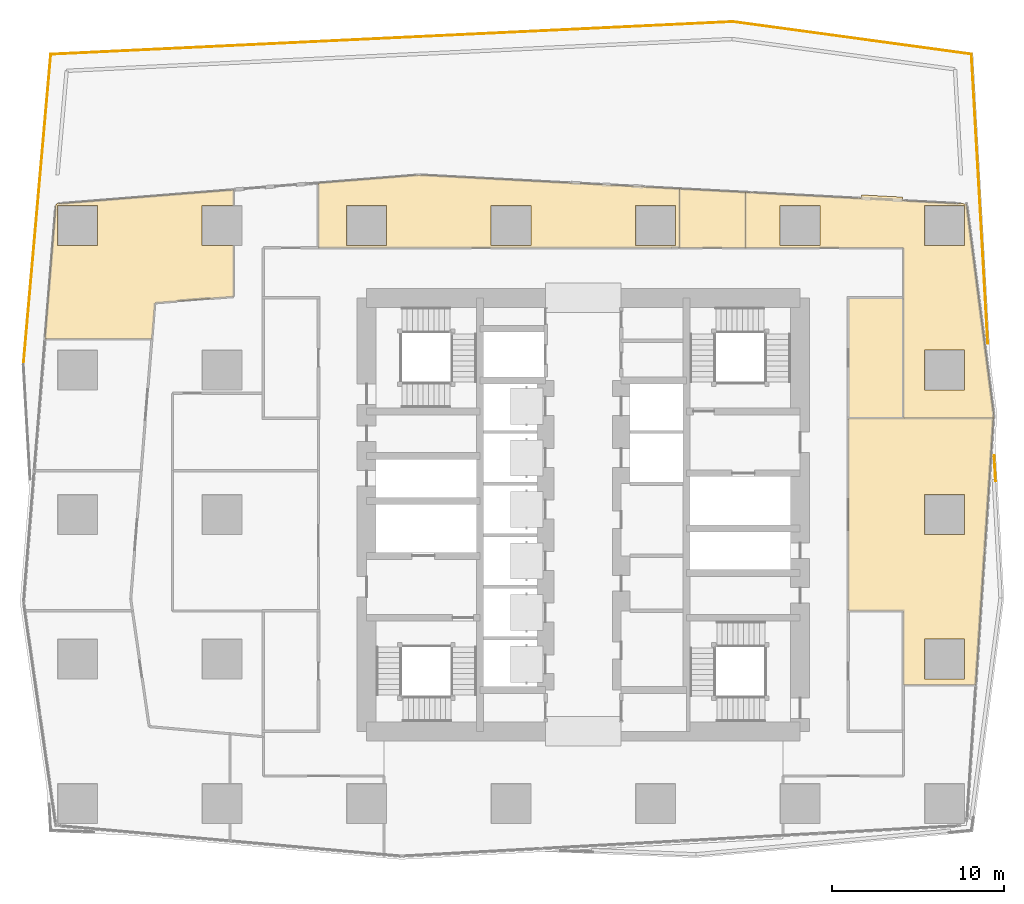
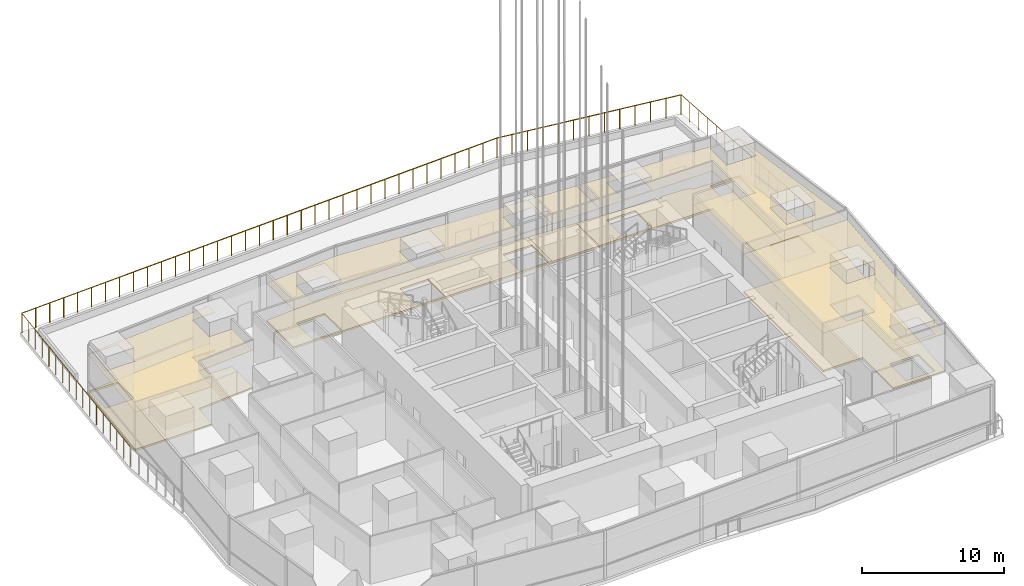
# One storey, part 26 of 39: 11 coverings, 5 railings.
"""IFC4 building model written with IfcOpenShell, lengths in metres."""

from ifc_helpers import new_model, si_unit, direction, frame, origin, origin_2d, place, context, subcontext, project, spatial, polyline, circle, outline, extrude, material, layer, layer_set, type_object, element, save


model = new_model("IFC4")

# Units and contexts
model_context = context("Model", 3, precision=1e-05, world=origin(), true_north=direction((0.0, 1.0)))
body_context = subcontext(model_context, "Body", "Model", "MODEL_VIEW")
ifc_project = project(units=[si_unit("LENGTHUNIT", "METRE"), si_unit("AREAUNIT", "SQUARE_METRE"), si_unit("VOLUMEUNIT", "CUBIC_METRE"), si_unit("PLANEANGLEUNIT", "RADIAN"), si_unit("MASSUNIT", "GRAM", prefix="KILO")], contexts=[model_context])

# Site, building, storey
site_placement = place(None, origin())
site = spatial("IfcSite", under=ifc_project, at=site_placement, CompositionType="ELEMENT")
building_placement = place(site_placement, origin())
building = spatial("IfcBuilding", under=site, at=building_placement, Name="Rekha Terrace Tower", CompositionType="ELEMENT")
storey_placement = place(building_placement, frame((0.0, 0.0, 245.60009765625)))
storey = spatial("IfcBuildingStorey", under=building, at=storey_placement, Name="L62", CompositionType="ELEMENT", Elevation=245.60009765625)

# Coverings
ifc_material_1 = material(Name="Mineral fibre tile in exposed grid", Category="finish")
ifc_layer_1 = layer(ifc_material_1, 0.02001953125)
ifc_layer_set_1 = layer_set([ifc_layer_1], Name="Mineral fibre tile in exposed grid")
covering_type_1 = type_object("IfcCoveringType", Name="CL1 600x1200 office grid ceiling", PredefinedType="CEILING", material=ifc_layer_set_1)
covering_1_placement = place(storey_placement, frame((0.0, 0.0, 3.329833984375)))
element("IfcCovering", 1, at=covering_1_placement, inside=storey, type_object=covering_type_1, Name="Ceiling L62-07", PredefinedType="CEILING", context=body_context, shape_type="SweptSolid", body=[
    extrude(outline(polyline([(55.822998046875, 52.0849609375), (53.958984375, 52.18408203125), (53.947998046875, 51.98388671875), (53.279052734375, 52.02001953125), (47.214111328125, 52.343017578125), (47.214111328125, 49.10009765625), (56.39990234375, 49.10009765625), (56.39990234375, 39.200927734375), (61.678955078125, 39.200927734375), (60.0791015625, 51.614013671875), (60.072998046875, 51.658935546875), (56.343994140625, 51.85693359375), (56.35498046875, 52.056884765625), (55.822998046875, 52.0849609375)]), holes=[polyline([(59.965087890625, 40.8349609375), (57.635009765625, 40.8349609375), (57.635009765625, 43.1650390625), (59.965087890625, 43.1650390625), (59.965087890625, 40.8349609375)]), polyline([(59.965087890625, 51.56494140625), (59.965087890625, 49.235107421875), (57.635009765625, 49.235107421875), (57.635009765625, 51.56494140625), (59.965087890625, 51.56494140625)]), polyline([(51.56494140625, 51.56494140625), (51.56494140625, 49.235107421875), (49.235107421875, 49.235107421875), (49.235107421875, 51.56494140625), (51.56494140625, 51.56494140625)])]), origin(), (0.0, 0.0, 1.0), 0.02001953125),
])
covering_2_placement = place(storey_placement, frame((0.0, 0.0, 3.329833984375)))
element("IfcCovering", 2, at=covering_2_placement, inside=storey, type_object=covering_type_1, Name="Ceiling L62-08", PredefinedType="CEILING", context=body_context, shape_type="SweptSolid", body=[
    extrude(outline(polyline([(47.212890625, 49.10009765625), (47.212890625, 52.343017578125), (43.388916015625, 52.5458984375), (43.388916015625, 49.10009765625), (47.212890625, 49.10009765625)])), origin(), (0.0, 0.0, 1.0), 0.02001953125),
])
covering_3_placement = place(storey_placement, frame((0.0, 0.0, 3.329833984375)))
element("IfcCovering", 3, at=covering_3_placement, inside=storey, type_object=covering_type_1, Name="Ceiling L62-09", PredefinedType="CEILING", context=body_context, shape_type="SweptSolid", body=[
    extrude(outline(polyline([(56.39990234375, 39.200927734375), (56.39990234375, 39.199951171875), (53.199951171875, 39.199951171875), (53.199951171875, 28.0), (56.39990234375, 28.0), (56.39990234375, 23.694091796875), (60.60400390625, 23.694091796875), (61.175048828125, 32.29296875), (61.634033203125, 39.200927734375), (56.39990234375, 39.200927734375)]), holes=[polyline([(59.965087890625, 26.364990234375), (59.965087890625, 24.034912109375), (57.635009765625, 24.034912109375), (57.635009765625, 26.364990234375), (59.965087890625, 26.364990234375)]), polyline([(59.965087890625, 34.764892578125), (59.965087890625, 32.43505859375), (57.635009765625, 32.43505859375), (57.635009765625, 34.764892578125), (59.965087890625, 34.764892578125)])]), origin(), (0.0, 0.0, 1.0), 0.02001953125),
])
covering_4_placement = place(storey_placement, frame((0.0, 0.0, 3.329833984375)))
element("IfcCovering", 4, at=covering_4_placement, inside=storey, type_object=covering_type_1, Name="Ceiling L62-10", PredefinedType="CEILING", context=body_context, shape_type="SweptSolid", body=[
    extrude(outline(polyline([(7.135986328125, 51.6640625), (6.4970703125, 43.804931640625), (12.717041015625, 43.804931640625), (12.887939453125, 45.903076171875), (17.458984375, 46.26806640625), (17.458984375, 49.235107421875), (15.635009765625, 49.235107421875), (15.635009765625, 51.56494140625), (17.458984375, 51.56494140625), (17.458984375, 52.487060546875), (7.135986328125, 51.6640625)]), holes=[polyline([(9.56494140625, 49.235107421875), (7.235107421875, 49.235107421875), (7.235107421875, 51.56494140625), (9.56494140625, 51.56494140625), (9.56494140625, 49.235107421875)])]), origin(), (0.0, 0.0, 1.0), 0.02001953125),
])
covering_5_placement = place(storey_placement, frame((0.0, 0.0, 3.329833984375)))
element("IfcCovering", 5, at=covering_5_placement, inside=storey, type_object=covering_type_1, Name="Ceiling L62-O2", PredefinedType="CEILING", context=body_context, shape_type="SweptSolid", body=[
    extrude(outline(polyline([(35.6240234375, 52.958984375), (28.27197265625, 53.35009765625), (26.201904296875, 53.18505859375), (22.39599609375, 52.881103515625), (22.39599609375, 49.10009765625), (42.929931640625, 49.10009765625), (42.929931640625, 49.125), (43.388916015625, 49.125), (43.388916015625, 52.5458984375), (42.929931640625, 52.571044921875), (35.6240234375, 52.958984375)]), holes=[polyline([(43.1650390625, 49.235107421875), (40.8349609375, 49.235107421875), (40.8349609375, 51.56494140625), (43.1650390625, 51.56494140625), (43.1650390625, 49.235107421875)]), polyline([(34.764892578125, 49.235107421875), (32.43505859375, 49.235107421875), (32.43505859375, 51.56494140625), (34.764892578125, 51.56494140625), (34.764892578125, 49.235107421875)]), polyline([(26.364990234375, 51.56494140625), (26.364990234375, 49.235107421875), (24.034912109375, 49.235107421875), (24.034912109375, 51.56494140625), (26.364990234375, 51.56494140625)])]), origin(), (0.0, 0.0, 1.0), 0.02001953125),
])
ifc_material_2 = material(Name="Fibre cement board", Category="finish")
ifc_layer_2 = layer(ifc_material_2, 0.014892578125)
ifc_layer_set_2 = layer_set([ifc_layer_2], Name="Fibre cement board")
covering_type_2 = type_object("IfcCoveringType", Name="CL2 moisture-resistant board ceiling", PredefinedType="CEILING", material=ifc_layer_set_2)
covering_6_placement = place(storey_placement, frame((0.0, 0.0, 3.3349609375)))
element("IfcCovering", 6, at=covering_6_placement, inside=storey, type_object=covering_type_2, Name="Ceiling L62-WCF", PredefinedType="CEILING", context=body_context, shape_type="SweptSolid", body=[
    extrude(outline(polyline([(56.39990234375, 46.199951171875), (53.199951171875, 46.199951171875), (53.199951171875, 39.199951171875), (56.39990234375, 39.199951171875), (56.39990234375, 46.199951171875)])), origin(), (0.0, 0.0, 1.0), 0.014892578125),
])

# Railings
ifc_material_3 = material(Name="Steel guard with vertical balusters", Category="steel")
railing_type_1 = type_object("IfcRailingType", Name="GR2 refuge area guard 1200", PredefinedType="GUARDRAIL", material=ifc_material_3)
railing_1_placement = place(storey_placement, frame((61.763427734375, 35.5478515625, 0.0)))
element("IfcRailing", 7, at=railing_1_placement, inside=storey, type_object=railing_type_1, Name="Ledge corner guard", PredefinedType="GUARDRAIL", context=body_context, shape_type="SweptSolid", body=[
    extrude(circle(Radius=0.02392578125, at=origin_2d()), frame((0.0, 0.0, 1.17578125), z_axis=(-0.056777167332, 0.99838687555, 0.0), x_axis=(-0.99838687555, -0.056777167332, 0.0)), (0.0, 0.0, 1.0), 1.479248046875),
    extrude(circle(Radius=0.02099609375, at=origin_2d()), origin(), (0.0, 0.0, 1.0), 1.15185546875),
    extrude(circle(Radius=0.02099609375, at=origin_2d()), frame((-0.0419921875, 0.73828125, 0.0)), (0.0, 0.0, 1.0), 1.15185546875),
    extrude(circle(Radius=0.02099609375, at=origin_2d()), frame((-0.083984375, 1.476806640625, 0.0)), (0.0, 0.0, 1.0), 1.15185546875),
])
ifc_material_4 = material(Name="Stainless steel posts and laminated glass infill", Category="steel")
railing_type_2 = type_object("IfcRailingType", Name="GR4 terrace glass guard 1700", PredefinedType="GUARDRAIL", material=ifc_material_4)
railing_2_placement = place(storey_placement, frame((61.30859375, 43.56201171875, 0.0)))
element("IfcRailing", 8, at=railing_2_placement, inside=storey, type_object=railing_type_2, Name="Terrace guard", PredefinedType="GUARDRAIL", context=body_context, shape_type="SweptSolid", body=[
    extrude(circle(Radius=0.02392578125, at=origin_2d()), frame((0.0, 0.0, 1.67578125), z_axis=(-0.056685768879, 0.998392069082, 0.0), x_axis=(-0.998392069082, -0.056685768879, 0.0)), (0.0, 0.0, 1.0), 16.8271484375),
    extrude(circle(Radius=0.02099609375, at=origin_2d()), origin(), (0.0, 0.0, 1.0), 1.65185546875),
    extrude(circle(Radius=0.02099609375, at=origin_2d()), frame((-0.0634765625, 1.1201171875, 0.0)), (0.0, 0.0, 1.0), 1.65185546875),
    extrude(circle(Radius=0.02099609375, at=origin_2d()), frame((-0.127197265625, 2.239990234375, 0.0)), (0.0, 0.0, 1.0), 1.65185546875),
    extrude(circle(Radius=0.02099609375, at=origin_2d()), frame((-0.190673828125, 3.360107421875, 0.0)), (0.0, 0.0, 1.0), 1.65185546875),
    extrude(circle(Radius=0.02099609375, at=origin_2d()), frame((-0.25439453125, 4.47998046875, 0.0)), (0.0, 0.0, 1.0), 1.65185546875),
    extrude(circle(Radius=0.02099609375, at=origin_2d()), frame((-0.31787109375, 5.60009765625, 0.0)), (0.0, 0.0, 1.0), 1.65185546875),
    extrude(circle(Radius=0.02099609375, at=origin_2d()), frame((-0.381591796875, 6.719970703125, 0.0)), (0.0, 0.0, 1.0), 1.65185546875),
    extrude(circle(Radius=0.02099609375, at=origin_2d()), frame((-0.445068359375, 7.840087890625, 0.0)), (0.0, 0.0, 1.0), 1.65185546875),
    extrude(circle(Radius=0.02099609375, at=origin_2d()), frame((-0.5087890625, 8.9599609375, 0.0)), (0.0, 0.0, 1.0), 1.65185546875),
    extrude(circle(Radius=0.02099609375, at=origin_2d()), frame((-0.572265625, 10.080078125, 0.0)), (0.0, 0.0, 1.0), 1.65185546875),
    extrude(circle(Radius=0.02099609375, at=origin_2d()), frame((-0.635986328125, 11.199951171875, 0.0)), (0.0, 0.0, 1.0), 1.65185546875),
    extrude(circle(Radius=0.02099609375, at=origin_2d()), frame((-0.699462890625, 12.320068359375, 0.0)), (0.0, 0.0, 1.0), 1.65185546875),
    extrude(circle(Radius=0.02099609375, at=origin_2d()), frame((-0.76318359375, 13.43994140625, 0.0)), (0.0, 0.0, 1.0), 1.65185546875),
    extrude(circle(Radius=0.02099609375, at=origin_2d()), frame((-0.82666015625, 14.56005859375, 0.0)), (0.0, 0.0, 1.0), 1.65185546875),
    extrude(circle(Radius=0.02099609375, at=origin_2d()), frame((-0.890380859375, 15.679931640625, 0.0)), (0.0, 0.0, 1.0), 1.65185546875),
    extrude(circle(Radius=0.02099609375, at=origin_2d()), frame((-0.953857421875, 16.800048828125, 0.0)), (0.0, 0.0, 1.0), 1.65185546875),
])
railing_3_placement = place(storey_placement, frame((60.354736328125, 60.362060546875, 0.0)))
element("IfcRailing", 9, at=railing_3_placement, inside=storey, type_object=railing_type_2, Name="Terrace guard", PredefinedType="GUARDRAIL", context=body_context, shape_type="SweptSolid", body=[
    extrude(circle(Radius=0.02392578125, at=origin_2d()), frame((0.0, 0.0, 1.67578125), z_axis=(-0.990866638975, 0.134845481072, 0.0), x_axis=(-0.134845481072, -0.990866638975, 0.0)), (0.0, 0.0, 1.0), 13.9990234375),
    extrude(circle(Radius=0.02099609375, at=origin_2d()), origin(), (0.0, 0.0, 1.0), 1.65185546875),
    extrude(circle(Radius=0.02099609375, at=origin_2d()), frame((-1.156005859375, 0.1572265625, 0.0)), (0.0, 0.0, 1.0), 1.65185546875),
    extrude(circle(Radius=0.02099609375, at=origin_2d()), frame((-2.311767578125, 0.314697265625, 0.0)), (0.0, 0.0, 1.0), 1.65185546875),
    extrude(circle(Radius=0.02099609375, at=origin_2d()), frame((-3.4677734375, 0.471923828125, 0.0)), (0.0, 0.0, 1.0), 1.65185546875),
    extrude(circle(Radius=0.02099609375, at=origin_2d()), frame((-4.623779296875, 0.629150390625, 0.0)), (0.0, 0.0, 1.0), 1.65185546875),
    extrude(circle(Radius=0.02099609375, at=origin_2d()), frame((-5.779541015625, 0.78662109375, 0.0)), (0.0, 0.0, 1.0), 1.65185546875),
    extrude(circle(Radius=0.02099609375, at=origin_2d()), frame((-6.935546875, 0.94384765625, 0.0)), (0.0, 0.0, 1.0), 1.65185546875),
    extrude(circle(Radius=0.02099609375, at=origin_2d()), frame((-8.091552734375, 1.10107421875, 0.0)), (0.0, 0.0, 1.0), 1.65185546875),
    extrude(circle(Radius=0.02099609375, at=origin_2d()), frame((-9.247314453125, 1.258544921875, 0.0)), (0.0, 0.0, 1.0), 1.65185546875),
    extrude(circle(Radius=0.02099609375, at=origin_2d()), frame((-10.4033203125, 1.415771484375, 0.0)), (0.0, 0.0, 1.0), 1.65185546875),
    extrude(circle(Radius=0.02099609375, at=origin_2d()), frame((-11.559326171875, 1.572998046875, 0.0)), (0.0, 0.0, 1.0), 1.65185546875),
    extrude(circle(Radius=0.02099609375, at=origin_2d()), frame((-12.715087890625, 1.73046875, 0.0)), (0.0, 0.0, 1.0), 1.65185546875),
    extrude(circle(Radius=0.02099609375, at=origin_2d()), frame((-13.87109375, 1.8876953125, 0.0)), (0.0, 0.0, 1.0), 1.65185546875),
])
railing_4_placement = place(storey_placement, frame((46.483642578125, 62.249755859375, 0.0)))
element("IfcRailing", 10, at=railing_4_placement, inside=storey, type_object=railing_type_2, Name="Terrace guard", PredefinedType="GUARDRAIL", context=body_context, shape_type="SweptSolid", body=[
    extrude(circle(Radius=0.02392578125, at=origin_2d()), frame((0.0, 0.0, 1.67578125), z_axis=(-0.998858765651, -0.047761556528, 0.0), x_axis=(0.047761556528, -0.998858765651, 0.0)), (0.0, 0.0, 1.0), 39.68701171875),
    extrude(circle(Radius=0.02099609375, at=origin_2d()), origin(), (0.0, 0.0, 1.0), 1.65185546875),
    extrude(circle(Radius=0.02099609375, at=origin_2d()), frame((-1.166015625, -0.0556640625, 0.0)), (0.0, 0.0, 1.0), 1.65185546875),
    extrude(circle(Radius=0.02099609375, at=origin_2d()), frame((-2.331787109375, -0.111572265625, 0.0)), (0.0, 0.0, 1.0), 1.65185546875),
    extrude(circle(Radius=0.02099609375, at=origin_2d()), frame((-3.497802734375, -0.167236328125, 0.0)), (0.0, 0.0, 1.0), 1.65185546875),
    extrude(circle(Radius=0.02099609375, at=origin_2d()), frame((-4.663818359375, -0.222900390625, 0.0)), (0.0, 0.0, 1.0), 1.65185546875),
    extrude(circle(Radius=0.02099609375, at=origin_2d()), frame((-5.82958984375, -0.27880859375, 0.0)), (0.0, 0.0, 1.0), 1.65185546875),
    extrude(circle(Radius=0.02099609375, at=origin_2d()), frame((-6.99560546875, -0.33447265625, 0.0)), (0.0, 0.0, 1.0), 1.65185546875),
    extrude(circle(Radius=0.02099609375, at=origin_2d()), frame((-8.16162109375, -0.39013671875, 0.0)), (0.0, 0.0, 1.0), 1.65185546875),
    extrude(circle(Radius=0.02099609375, at=origin_2d()), frame((-9.327392578125, -0.446044921875, 0.0)), (0.0, 0.0, 1.0), 1.65185546875),
    extrude(circle(Radius=0.02099609375, at=origin_2d()), frame((-10.493408203125, -0.501708984375, 0.0)), (0.0, 0.0, 1.0), 1.65185546875),
    extrude(circle(Radius=0.02099609375, at=origin_2d()), frame((-11.6591796875, -0.5576171875, 0.0)), (0.0, 0.0, 1.0), 1.65185546875),
    extrude(circle(Radius=0.02099609375, at=origin_2d()), frame((-12.8251953125, -0.61328125, 0.0)), (0.0, 0.0, 1.0), 1.65185546875),
    extrude(circle(Radius=0.02099609375, at=origin_2d()), frame((-13.9912109375, -0.6689453125, 0.0)), (0.0, 0.0, 1.0), 1.65185546875),
    extrude(circle(Radius=0.02099609375, at=origin_2d()), frame((-15.156982421875, -0.724853515625, 0.0)), (0.0, 0.0, 1.0), 1.65185546875),
    extrude(circle(Radius=0.02099609375, at=origin_2d()), frame((-16.322998046875, -0.780517578125, 0.0)), (0.0, 0.0, 1.0), 1.65185546875),
    extrude(circle(Radius=0.02099609375, at=origin_2d()), frame((-17.489013671875, -0.836181640625, 0.0)), (0.0, 0.0, 1.0), 1.65185546875),
    extrude(circle(Radius=0.02099609375, at=origin_2d()), frame((-18.65478515625, -0.89208984375, 0.0)), (0.0, 0.0, 1.0), 1.65185546875),
    extrude(circle(Radius=0.02099609375, at=origin_2d()), frame((-19.82080078125, -0.94775390625, 0.0)), (0.0, 0.0, 1.0), 1.65185546875),
    extrude(circle(Radius=0.02099609375, at=origin_2d()), frame((-20.98681640625, -1.00341796875, 0.0)), (0.0, 0.0, 1.0), 1.65185546875),
    extrude(circle(Radius=0.02099609375, at=origin_2d()), frame((-22.152587890625, -1.059326171875, 0.0)), (0.0, 0.0, 1.0), 1.65185546875),
    extrude(circle(Radius=0.02099609375, at=origin_2d()), frame((-23.318603515625, -1.114990234375, 0.0)), (0.0, 0.0, 1.0), 1.65185546875),
    extrude(circle(Radius=0.02099609375, at=origin_2d()), frame((-24.484619140625, -1.170654296875, 0.0)), (0.0, 0.0, 1.0), 1.65185546875),
    extrude(circle(Radius=0.02099609375, at=origin_2d()), frame((-25.650390625, -1.2265625, 0.0)), (0.0, 0.0, 1.0), 1.65185546875),
    extrude(circle(Radius=0.02099609375, at=origin_2d()), frame((-26.81640625, -1.2822265625, 0.0)), (0.0, 0.0, 1.0), 1.65185546875),
    extrude(circle(Radius=0.02099609375, at=origin_2d()), frame((-27.982421875, -1.337890625, 0.0)), (0.0, 0.0, 1.0), 1.65185546875),
    extrude(circle(Radius=0.02099609375, at=origin_2d()), frame((-29.148193359375, -1.393798828125, 0.0)), (0.0, 0.0, 1.0), 1.65185546875),
    extrude(circle(Radius=0.02099609375, at=origin_2d()), frame((-30.314208984375, -1.449462890625, 0.0)), (0.0, 0.0, 1.0), 1.65185546875),
    extrude(circle(Radius=0.02099609375, at=origin_2d()), frame((-31.47998046875, -1.50537109375, 0.0)), (0.0, 0.0, 1.0), 1.65185546875),
    extrude(circle(Radius=0.02099609375, at=origin_2d()), frame((-32.64599609375, -1.56103515625, 0.0)), (0.0, 0.0, 1.0), 1.65185546875),
    extrude(circle(Radius=0.02099609375, at=origin_2d()), frame((-33.81201171875, -1.61669921875, 0.0)), (0.0, 0.0, 1.0), 1.65185546875),
    extrude(circle(Radius=0.02099609375, at=origin_2d()), frame((-34.977783203125, -1.672607421875, 0.0)), (0.0, 0.0, 1.0), 1.65185546875),
    extrude(circle(Radius=0.02099609375, at=origin_2d()), frame((-36.143798828125, -1.728271484375, 0.0)), (0.0, 0.0, 1.0), 1.65185546875),
    extrude(circle(Radius=0.02099609375, at=origin_2d()), frame((-37.309814453125, -1.783935546875, 0.0)), (0.0, 0.0, 1.0), 1.65185546875),
    extrude(circle(Radius=0.02099609375, at=origin_2d()), frame((-38.4755859375, -1.83984375, 0.0)), (0.0, 0.0, 1.0), 1.65185546875),
    extrude(circle(Radius=0.02099609375, at=origin_2d()), frame((-39.6416015625, -1.8955078125, 0.0)), (0.0, 0.0, 1.0), 1.65185546875),
])
railing_5_placement = place(storey_placement, frame((6.842041015625, 60.354248046875, 0.0)))
element("IfcRailing", 11, at=railing_5_placement, inside=storey, type_object=railing_type_2, Name="Terrace guard", PredefinedType="GUARDRAIL", context=body_context, shape_type="SweptSolid", body=[
    extrude(circle(Radius=0.02392578125, at=origin_2d()), frame((0.0, 0.0, 1.67578125), z_axis=(-0.087965078021, -0.996123559127, 0.0), x_axis=(0.996123559127, -0.087965078021, 0.0)), (0.0, 0.0, 1.0), 18.095703125),
    extrude(circle(Radius=0.02099609375, at=origin_2d()), origin(), (0.0, 0.0, 1.0), 1.65185546875),
    extrude(circle(Radius=0.02099609375, at=origin_2d()), frame((-0.099609375, -1.126708984375, 0.0)), (0.0, 0.0, 1.0), 1.65185546875),
    extrude(circle(Radius=0.02099609375, at=origin_2d()), frame((-0.198974609375, -2.253173828125, 0.0)), (0.0, 0.0, 1.0), 1.65185546875),
    extrude(circle(Radius=0.02099609375, at=origin_2d()), frame((-0.29833984375, -3.3798828125, 0.0)), (0.0, 0.0, 1.0), 1.65185546875),
    extrude(circle(Radius=0.02099609375, at=origin_2d()), frame((-0.39794921875, -4.50634765625, 0.0)), (0.0, 0.0, 1.0), 1.65185546875),
    extrude(circle(Radius=0.02099609375, at=origin_2d()), frame((-0.49755859375, -5.633056640625, 0.0)), (0.0, 0.0, 1.0), 1.65185546875),
    extrude(circle(Radius=0.02099609375, at=origin_2d()), frame((-0.596923828125, -6.759521484375, 0.0)), (0.0, 0.0, 1.0), 1.65185546875),
    extrude(circle(Radius=0.02099609375, at=origin_2d()), frame((-0.6962890625, -7.88623046875, 0.0)), (0.0, 0.0, 1.0), 1.65185546875),
    extrude(circle(Radius=0.02099609375, at=origin_2d()), frame((-0.7958984375, -9.0126953125, 0.0)), (0.0, 0.0, 1.0), 1.65185546875),
    extrude(circle(Radius=0.02099609375, at=origin_2d()), frame((-0.8955078125, -10.139404296875, 0.0)), (0.0, 0.0, 1.0), 1.65185546875),
    extrude(circle(Radius=0.02099609375, at=origin_2d()), frame((-0.994873046875, -11.26611328125, 0.0)), (0.0, 0.0, 1.0), 1.65185546875),
    extrude(circle(Radius=0.02099609375, at=origin_2d()), frame((-1.09423828125, -12.392578125, 0.0)), (0.0, 0.0, 1.0), 1.65185546875),
    extrude(circle(Radius=0.02099609375, at=origin_2d()), frame((-1.19384765625, -13.519287109375, 0.0)), (0.0, 0.0, 1.0), 1.65185546875),
    extrude(circle(Radius=0.02099609375, at=origin_2d()), frame((-1.29345703125, -14.645751953125, 0.0)), (0.0, 0.0, 1.0), 1.65185546875),
    extrude(circle(Radius=0.02099609375, at=origin_2d()), frame((-1.392822265625, -15.7724609375, 0.0)), (0.0, 0.0, 1.0), 1.65185546875),
    extrude(circle(Radius=0.02099609375, at=origin_2d()), frame((-1.4921875, -16.89892578125, 0.0)), (0.0, 0.0, 1.0), 1.65185546875),
    extrude(circle(Radius=0.02099609375, at=origin_2d()), frame((-1.591796875, -18.025634765625, 0.0)), (0.0, 0.0, 1.0), 1.65185546875),
])

# Coverings
ifc_material_5 = material(Name="Calcium sulphate panels on steel pedestals", Category="steel")
ifc_layer_3 = layer(ifc_material_5, 0.14990234375)
ifc_layer_set_3 = layer_set([ifc_layer_3], Name="Calcium sulphate panels on steel pedestals")
covering_type_3 = type_object("IfcCoveringType", Name="RF1 150 raised access floor", PredefinedType="FLOORING", material=ifc_layer_set_3)
covering_7_placement = place(storey_placement, origin())
element("IfcCovering", 12, at=covering_7_placement, inside=storey, type_object=covering_type_3, Name="Raised floor L62-07", PredefinedType="FLOORING", context=body_context, shape_type="SweptSolid", body=[
    extrude(outline(polyline([(55.822998046875, 52.0849609375), (53.958984375, 52.18408203125), (53.947998046875, 51.98388671875), (53.279052734375, 52.02001953125), (47.214111328125, 52.343017578125), (47.214111328125, 49.10009765625), (56.39990234375, 49.10009765625), (56.39990234375, 39.200927734375), (61.678955078125, 39.200927734375), (60.0791015625, 51.614013671875), (60.072998046875, 51.658935546875), (56.343994140625, 51.85693359375), (56.35498046875, 52.056884765625), (55.822998046875, 52.0849609375)]), holes=[polyline([(59.965087890625, 40.8349609375), (57.635009765625, 40.8349609375), (57.635009765625, 43.1650390625), (59.965087890625, 43.1650390625), (59.965087890625, 40.8349609375)]), polyline([(59.965087890625, 51.56494140625), (59.965087890625, 49.235107421875), (57.635009765625, 49.235107421875), (57.635009765625, 51.56494140625), (59.965087890625, 51.56494140625)]), polyline([(51.56494140625, 51.56494140625), (51.56494140625, 49.235107421875), (49.235107421875, 49.235107421875), (49.235107421875, 51.56494140625), (51.56494140625, 51.56494140625)])]), origin(), (0.0, 0.0, 1.0), 0.14990234375),
])
covering_8_placement = place(storey_placement, origin())
element("IfcCovering", 13, at=covering_8_placement, inside=storey, type_object=covering_type_3, Name="Raised floor L62-08", PredefinedType="FLOORING", context=body_context, shape_type="SweptSolid", body=[
    extrude(outline(polyline([(47.212890625, 49.10009765625), (47.212890625, 52.343017578125), (43.388916015625, 52.5458984375), (43.388916015625, 49.10009765625), (47.212890625, 49.10009765625)])), origin(), (0.0, 0.0, 1.0), 0.14990234375),
])
covering_9_placement = place(storey_placement, origin())
element("IfcCovering", 14, at=covering_9_placement, inside=storey, type_object=covering_type_3, Name="Raised floor L62-09", PredefinedType="FLOORING", context=body_context, shape_type="SweptSolid", body=[
    extrude(outline(polyline([(56.39990234375, 39.200927734375), (56.39990234375, 39.199951171875), (53.199951171875, 39.199951171875), (53.199951171875, 28.0), (56.39990234375, 28.0), (56.39990234375, 23.694091796875), (60.60400390625, 23.694091796875), (61.175048828125, 32.29296875), (61.634033203125, 39.200927734375), (56.39990234375, 39.200927734375)]), holes=[polyline([(59.965087890625, 26.364990234375), (59.965087890625, 24.034912109375), (57.635009765625, 24.034912109375), (57.635009765625, 26.364990234375), (59.965087890625, 26.364990234375)]), polyline([(59.965087890625, 34.764892578125), (59.965087890625, 32.43505859375), (57.635009765625, 32.43505859375), (57.635009765625, 34.764892578125), (59.965087890625, 34.764892578125)])]), origin(), (0.0, 0.0, 1.0), 0.14990234375),
])
covering_10_placement = place(storey_placement, origin())
element("IfcCovering", 15, at=covering_10_placement, inside=storey, type_object=covering_type_3, Name="Raised floor L62-10", PredefinedType="FLOORING", context=body_context, shape_type="SweptSolid", body=[
    extrude(outline(polyline([(7.135986328125, 51.6640625), (6.4970703125, 43.804931640625), (12.717041015625, 43.804931640625), (12.887939453125, 45.903076171875), (17.458984375, 46.26806640625), (17.458984375, 49.235107421875), (15.635009765625, 49.235107421875), (15.635009765625, 51.56494140625), (17.458984375, 51.56494140625), (17.458984375, 52.487060546875), (7.135986328125, 51.6640625)]), holes=[polyline([(9.56494140625, 49.235107421875), (7.235107421875, 49.235107421875), (7.235107421875, 51.56494140625), (9.56494140625, 51.56494140625), (9.56494140625, 49.235107421875)])]), origin(), (0.0, 0.0, 1.0), 0.14990234375),
])
covering_11_placement = place(storey_placement, origin())
element("IfcCovering", 16, at=covering_11_placement, inside=storey, type_object=covering_type_3, Name="Raised floor L62-O2", PredefinedType="FLOORING", context=body_context, shape_type="SweptSolid", body=[
    extrude(outline(polyline([(35.6240234375, 52.958984375), (28.27197265625, 53.35009765625), (26.201904296875, 53.18505859375), (22.39599609375, 52.881103515625), (22.39599609375, 49.10009765625), (42.929931640625, 49.10009765625), (42.929931640625, 49.125), (43.388916015625, 49.125), (43.388916015625, 52.5458984375), (42.929931640625, 52.571044921875), (35.6240234375, 52.958984375)]), holes=[polyline([(43.1650390625, 49.235107421875), (40.8349609375, 49.235107421875), (40.8349609375, 51.56494140625), (43.1650390625, 51.56494140625), (43.1650390625, 49.235107421875)]), polyline([(34.764892578125, 49.235107421875), (32.43505859375, 49.235107421875), (32.43505859375, 51.56494140625), (34.764892578125, 51.56494140625), (34.764892578125, 49.235107421875)]), polyline([(26.364990234375, 51.56494140625), (26.364990234375, 49.235107421875), (24.034912109375, 49.235107421875), (24.034912109375, 51.56494140625), (26.364990234375, 51.56494140625)])]), origin(), (0.0, 0.0, 1.0), 0.14990234375),
])

save(model, "model.ifc")
